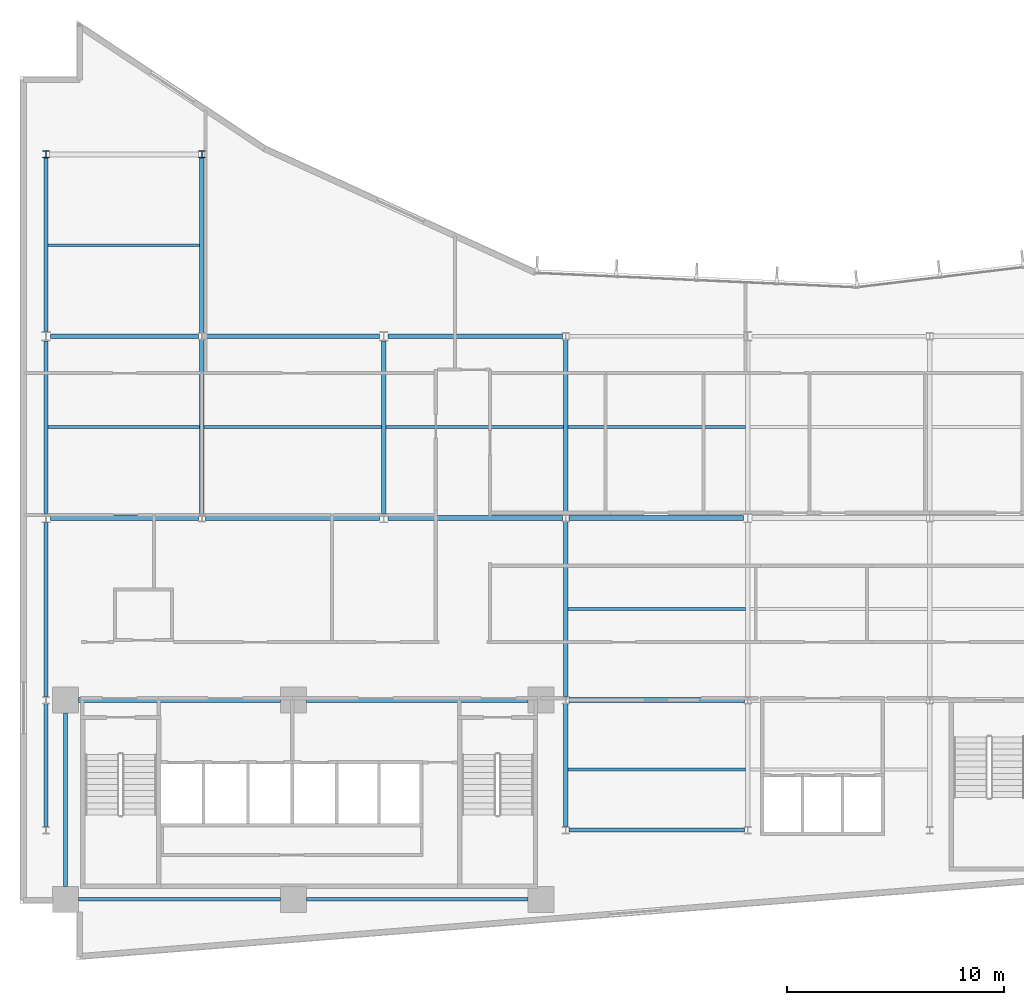
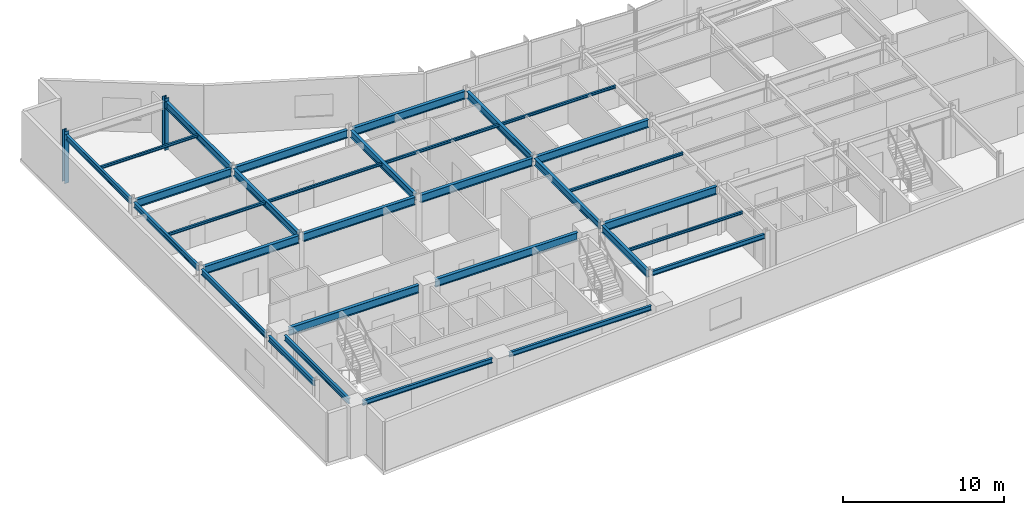
# One storey, part 3 of 17: 31 beams, 2 columns.
"""IFC4 building model written with IfcOpenShell, lengths in metres."""

import ifcopenshell
import ifcopenshell.guid

model = None  # the IFC model being written
_history = None  # IfcOwnerHistory: only IFC2X3 demands one
_inside = {}  # id of a spatial element -> (the spatial element, [elements in it])
_under = {}  # id of a project, library or spatial element -> (it, [spatial elements below it])
_declared = {}  # id of a project -> (the project, [libraries it declares])
_typed = {}  # id of a type object -> (the type object, [elements of that type])
_made_of = {}  # id of a material, layer set ... -> (it, [elements and type objects made of it])


def new_model(schema):
    """Start an empty IFC model of exactly this schema.

    Asked for "IFC4X3", IfcOpenShell would pick the latest addendum, in which some entities
    have other attributes; the version numbers below select the first issue.
    IFC2X3 requires an IfcOwnerHistory on every rooted entity: one is made here for all.
    """
    global model, _history
    if schema == "IFC4X3":
        model = ifcopenshell.file(schema_version=(4, 3, 0, 0))
    else:
        model = ifcopenshell.file(schema=schema)
    _inside.clear()
    _under.clear()
    _declared.clear()
    _typed.clear()
    _made_of.clear()
    _history = None
    if model.schema == "IFC2X3":
        org = make("IfcOrganization", Name="unknown")
        user = make(
            "IfcPersonAndOrganization",
            ThePerson=make("IfcPerson", FamilyName="unknown"),
            TheOrganization=org,
        )
        app = make(
            "IfcApplication",
            ApplicationDeveloper=org,
            Version="unknown",
            ApplicationFullName="unknown",
            ApplicationIdentifier="unknown",
        )
        _history = make(
            "IfcOwnerHistory",
            OwningUser=user,
            OwningApplication=app,
            ChangeAction="ADDED",
            CreationDate=0,
        )
    return model


def make(cls, **values):
    """One entity of the class cls with the attributes given. An attribute that is None is left unset."""
    return model.create_entity(
        cls, **{name: value for name, value in values.items() if value is not None}
    )


def rooted(cls, **values):
    """An entity with a GlobalId (a new one), such as an element, a storey or a relation."""
    return make(cls, GlobalId=ifcopenshell.guid.new(), OwnerHistory=_history, **values)


def si_unit(unit_type, name, prefix=None):
    """IfcSIUnit, for example si_unit("LENGTHUNIT", "METRE", prefix="MILLI")."""
    return make("IfcSIUnit", UnitType=unit_type, Prefix=prefix, Name=name)


def assignment(units):
    """IfcUnitAssignment: the units of a project."""
    return None if units is None else make("IfcUnitAssignment", Units=units)


def point(xyz):
    """IfcCartesianPoint."""
    return None if xyz is None else make("IfcCartesianPoint", Coordinates=xyz)


def direction(xyz):
    """IfcDirection."""
    return None if xyz is None else make("IfcDirection", DirectionRatios=xyz)


def frame(location, z_axis=None, x_axis=None):
    """IfcAxis2Placement3D, a coordinate frame: its origin and axes. An axis left out is left unset."""
    return make(
        "IfcAxis2Placement3D",
        Location=point(location),
        Axis=direction(z_axis),
        RefDirection=direction(x_axis),
    )


def frame_2d(location, x_axis=None):
    """IfcAxis2Placement2D, a coordinate frame in the plane: its origin and x axis."""
    return make(
        "IfcAxis2Placement2D", Location=point(location), RefDirection=direction(x_axis)
    )


def origin():
    """The frame at (0, 0, 0) with its axes left unset."""
    return frame((0.0, 0.0, 0.0))


def origin_2d():
    """The frame at (0, 0) in the plane with its x axis left unset."""
    return frame_2d((0.0, 0.0))


def place(relative_to, where):
    """IfcLocalPlacement: puts the frame where relative to a parent placement (None: the world)."""
    return make(
        "IfcLocalPlacement", PlacementRelTo=relative_to, RelativePlacement=where
    )


def context(
    kind, dimensions, precision=None, world=None, true_north=None, identifier=None
):
    """IfcGeometricRepresentationContext, for example the 3D "Model" context."""
    return make(
        "IfcGeometricRepresentationContext",
        ContextIdentifier=identifier,
        ContextType=kind,
        CoordinateSpaceDimension=dimensions,
        Precision=precision,
        WorldCoordinateSystem=world,
        TrueNorth=true_north,
    )


def subcontext(parent, identifier, kind, view, scale=None):
    """IfcGeometricRepresentationSubContext, for example "Body" below "Model"."""
    return make(
        "IfcGeometricRepresentationSubContext",
        ContextIdentifier=identifier,
        ContextType=kind,
        ParentContext=parent,
        TargetScale=scale,
        TargetView=view,
    )


def project(units=None, contexts=None):
    """IfcProject with its units and contexts."""
    return rooted(
        "IfcProject",
        Name="project",
        RepresentationContexts=contexts,
        UnitsInContext=assignment(units),
    )


def spatial(cls, under=None, at=None, **own):
    """A site, building, storey or space (cls), placed at a placement, below another one or the project."""
    s = rooted(cls, ObjectPlacement=at, **own)
    if under is not None:
        _under.setdefault(under.id(), (under, []))[1].append(s)
    return s


def profile(cls, at=None, kind="AREA", **sizes):
    """A parametric profile (cls). Its sizes go by their IFC names, for example OverallWidth=200.0."""
    return make(cls, ProfileType=kind, Position=at, **sizes)


def i_section(**sizes):
    """IfcIShapeProfileDef."""
    return profile("IfcIShapeProfileDef", **sizes)


def extrude(swept, where, along, depth):
    """IfcExtrudedAreaSolid: the profile swept, set in the frame where, extruded along a direction by depth."""
    return make(
        "IfcExtrudedAreaSolid",
        SweptArea=swept,
        Position=where,
        ExtrudedDirection=direction(along),
        Depth=depth,
    )


def shape(context_of_items, identifier, shape_type, items):
    """IfcShapeRepresentation: the items that make up one representation, for example the "Body"."""
    return make(
        "IfcShapeRepresentation",
        ContextOfItems=context_of_items,
        RepresentationIdentifier=identifier,
        RepresentationType=shape_type,
        Items=items,
    )


def material(Name=None, Category=None):
    """IfcMaterial."""
    return make("IfcMaterial", Name=Name, Category=Category)


def material_profile(
    of_material, cross_section, Name=None, Category=None, Priority=None
):
    """IfcMaterialProfile: a cross section and its material."""
    return make(
        "IfcMaterialProfile",
        Name=Name,
        Material=of_material,
        Profile=cross_section,
        Priority=Priority,
        Category=Category,
    )


def profile_set(profiles, Name=None, composite=None):
    """IfcMaterialProfileSet."""
    return make(
        "IfcMaterialProfileSet",
        Name=Name,
        MaterialProfiles=profiles,
        CompositeProfile=composite,
    )


def made_of(thing, what):
    """Note that an element or type object is made of a material, layer set ...; save() writes the relation."""
    if what is not None:
        _made_of.setdefault(what.id(), (what, []))[1].append(thing)
    return thing


def type_object(cls, material=None, **own):
    """A type object (cls), such as IfcWallType, which elements share."""
    return made_of(rooted(cls, **own), material)


def element(
    cls,
    number,
    at=None,
    inside=None,
    cuts=None,
    type_object=None,
    material=None,
    context=None,
    identifier="Body",
    shape_type=None,
    held_by="IfcProductDefinitionShape",
    body=None,
    shapes=None,
    **own,
):
    """One element of the class cls, such as IfcWall. Its Tag is "e" and its number.

    at: its placement. inside: the storey or other place that contains it. cuts: it is an
    opening in that element (IfcRelVoidsElement). A single representation is given by context,
    identifier, shape_type and body (its items); several are given by shapes. held_by: the class
    of the entity that holds the representations. save() writes the other relations.
    """
    e = rooted(cls, Tag="e%d" % number, ObjectPlacement=at, **own)
    if body is not None:
        shapes = [shape(context, identifier, shape_type, body)]
    if shapes is not None:
        e.Representation = make(held_by, Representations=shapes)
    if inside is not None:
        _inside.setdefault(inside.id(), (inside, []))[1].append(e)
    if cuts is not None:
        rooted(
            "IfcRelVoidsElement", RelatingBuildingElement=cuts, RelatedOpeningElement=e
        )
    if type_object is not None:
        _typed.setdefault(type_object.id(), (type_object, []))[1].append(e)
    return made_of(e, material)


def aggregate(whole, parts):
    """IfcRelAggregates: a whole, such as a stair, and the parts it consists of."""
    return rooted("IfcRelAggregates", RelatingObject=whole, RelatedObjects=parts)


def save(model, path):
    """Write the relations noted so far, then the file.

    IfcRelAggregates (storeys below a building ...), IfcRelContainedInSpatialStructure (elements
    in a storey), IfcRelDefinesByType, IfcRelAssociatesMaterial and IfcRelDeclares: one each for
    every whole, place, type object, material and project.
    """
    for whole, parts in _under.values():
        aggregate(whole, parts)
    for where, things in _inside.values():
        rooted(
            "IfcRelContainedInSpatialStructure",
            RelatedElements=things,
            RelatingStructure=where,
        )
    for kind, things in _typed.values():
        rooted("IfcRelDefinesByType", RelatedObjects=things, RelatingType=kind)
    for what, things in _made_of.values():
        rooted("IfcRelAssociatesMaterial", RelatedObjects=things, RelatingMaterial=what)
    for by, libraries in _declared.values():
        rooted("IfcRelDeclares", RelatingContext=by, RelatedDefinitions=libraries)
    model.write(path)


model = new_model("IFC4")

# Units and contexts
model_context = context("Model", 3, precision=1e-05, world=origin(), true_north=direction((0.0, 1.0)))
body_context = subcontext(model_context, "Body", "Model", "MODEL_VIEW")
ifc_project = project(units=[si_unit("LENGTHUNIT", "METRE"), si_unit("AREAUNIT", "SQUARE_METRE"), si_unit("VOLUMEUNIT", "CUBIC_METRE"), si_unit("PLANEANGLEUNIT", "RADIAN"), si_unit("MASSUNIT", "GRAM", prefix="KILO")], contexts=[model_context])

# Site, building, storey
site_placement = place(None, origin())
site = spatial("IfcSite", under=ifc_project, at=site_placement, CompositionType="ELEMENT")
building_placement = place(site_placement, origin())
building = spatial("IfcBuilding", under=site, at=building_placement, Name="Varnakote Quay Hospital", CompositionType="ELEMENT")
storey_placement = place(building_placement, frame((0.0, 0.0, 134.949951171875)))
storey = spatial("IfcBuildingStorey", under=building, at=storey_placement, Name="L33", CompositionType="ELEMENT", Elevation=134.949951171875)

# Columns
ifc_material_1 = material(Name="Structural steel AS/NZS 3679.1 Grade 350 L0 (fy 340 MPa)", Category="steel")
ifc_material_profile_1 = material_profile(ifc_material_1, i_section(OverallWidth=0.30908203125, OverallDepth=0.321044921875, WebThickness=0.013916015625, FlangeThickness=0.021728515625, FilletRadius=0.0166015625, at=origin_2d()), Name="310UC137")
ifc_profile_set_1 = profile_set([ifc_material_profile_1], Name="Structural steel AS/NZS 3679.1 Grade 350 L0 (fy 340 MPa)")
column_type = type_object("IfcColumnType", Name="COL-STL-310UC137", PredefinedType="COLUMN", material=ifc_profile_set_1)
for number, where, z_axis, x_axis, name in (
    (1, (1.199951171875, 37.199951171875, 0.0), (0.0, 0.0, 1.0), (1.0, 0.0, 0.0), "L33 Structural Column C-1-37"),
    (2, (8.39990234375, 37.199951171875, 0.0), (0.0, 0.0, 1.0), (1.0, 0.0, 0.0), "L33 Structural Column C-8-37"),
):
    element("IfcColumn", number, at=place(storey_placement, frame(where, z_axis=z_axis, x_axis=x_axis)), inside=storey, type_object=column_type, Name=name, PredefinedType="COLUMN", context=body_context, shape_type="SweptSolid", body=[
        extrude(i_section(OverallWidth=0.30908203125, OverallDepth=0.321044921875, WebThickness=0.013916015625, FlangeThickness=0.021728515625, FilletRadius=0.0166015625, at=origin_2d()), origin(), (0.0, 0.0, 1.0), 3.949951171875),
    ])

# Beams
ifc_material_2 = material(Name="Structural steel AS/NZS 3679.1 Grade 350 L0 (fy 340 MPa)", Category="steel")
ifc_material_profile_2 = material_profile(ifc_material_2, i_section(OverallWidth=0.208984375, OverallDepth=0.532958984375, WebThickness=0.01025390625, FlangeThickness=0.015625, FilletRadius=0.013916015625, at=origin_2d()), Name="530UB92.4")
ifc_profile_set_2 = profile_set([ifc_material_profile_2], Name="Structural steel AS/NZS 3679.1 Grade 350 L0 (fy 340 MPa)")
beam_type_1 = type_object("IfcBeamType", Name="BM-STL-530UB92-4", PredefinedType="BEAM", material=ifc_profile_set_2)
beam_1_placement = place(storey_placement, frame((8.39990234375, 20.560546875, 3.443603515625), z_axis=(0.0, 1.0, 0.0), x_axis=(-1.0, 0.0, 0.0)))
element("IfcBeam", 3, at=beam_1_placement, inside=storey, type_object=beam_type_1, Name="L33 Primary Tie Beam", PredefinedType="BEAM", context=body_context, shape_type="SweptSolid", body=[
    extrude(i_section(OverallWidth=0.208984375, OverallDepth=0.532958984375, WebThickness=0.01025390625, FlangeThickness=0.015625, FilletRadius=0.013916015625, at=origin_2d()), origin(), (0.0, 0.0, 1.0), 8.078857421875),
])
beam_2_placement = place(storey_placement, frame((8.39990234375, 28.96044921875, 3.443603515625), z_axis=(0.0, 1.0, 0.0), x_axis=(-1.0, 0.0, 0.0)))
element("IfcBeam", 4, at=beam_2_placement, inside=storey, type_object=beam_type_1, Name="L33 Primary Tie Beam", PredefinedType="BEAM", context=body_context, shape_type="SweptSolid", body=[
    extrude(i_section(OverallWidth=0.208984375, OverallDepth=0.532958984375, WebThickness=0.01025390625, FlangeThickness=0.015625, FilletRadius=0.013916015625, at=origin_2d()), origin(), (0.0, 0.0, 1.0), 8.0791015625),
])
beam_3_placement = place(storey_placement, frame((16.800048828125, 20.610107421875, 3.443603515625), z_axis=(0.0, 1.0, 0.0), x_axis=(-1.0, 0.0, 0.0)))
element("IfcBeam", 5, at=beam_3_placement, inside=storey, type_object=beam_type_1, Name="L33 Primary Tie Beam", PredefinedType="BEAM", context=body_context, shape_type="SweptSolid", body=[
    extrude(i_section(OverallWidth=0.208984375, OverallDepth=0.532958984375, WebThickness=0.01025390625, FlangeThickness=0.015625, FilletRadius=0.013916015625, at=origin_2d()), origin(), (0.0, 0.0, 1.0), 7.97998046875),
])
beam_4_placement = place(storey_placement, frame((25.199951171875, 6.160400390625, 3.443603515625), z_axis=(0.0, 1.0, 0.0), x_axis=(-1.0, 0.0, 0.0)))
element("IfcBeam", 6, at=beam_4_placement, inside=storey, type_object=beam_type_1, Name="L33 Primary Tie Beam", PredefinedType="BEAM", context=body_context, shape_type="SweptSolid", body=[
    extrude(i_section(OverallWidth=0.208984375, OverallDepth=0.532958984375, WebThickness=0.01025390625, FlangeThickness=0.015625, FilletRadius=0.013916015625, at=origin_2d()), origin(), (0.0, 0.0, 1.0), 5.67919921875),
])
beam_5_placement = place(storey_placement, frame((25.199951171875, 12.160400390625, 3.443603515625), z_axis=(0.0, 1.0, 0.0), x_axis=(-1.0, 0.0, 0.0)))
element("IfcBeam", 7, at=beam_5_placement, inside=storey, type_object=beam_type_1, Name="L33 Primary Tie Beam", PredefinedType="BEAM", context=body_context, shape_type="SweptSolid", body=[
    extrude(i_section(OverallWidth=0.208984375, OverallDepth=0.532958984375, WebThickness=0.01025390625, FlangeThickness=0.015625, FilletRadius=0.013916015625, at=origin_2d()), origin(), (0.0, 0.0, 1.0), 8.0791015625),
])
beam_6_placement = place(storey_placement, frame((25.199951171875, 20.560546875, 3.443603515625), z_axis=(0.0, 1.0, 0.0), x_axis=(-1.0, 0.0, 0.0)))
element("IfcBeam", 8, at=beam_6_placement, inside=storey, type_object=beam_type_1, Name="L33 Primary Tie Beam", PredefinedType="BEAM", context=body_context, shape_type="SweptSolid", body=[
    extrude(i_section(OverallWidth=0.208984375, OverallDepth=0.532958984375, WebThickness=0.01025390625, FlangeThickness=0.015625, FilletRadius=0.013916015625, at=origin_2d()), origin(), (0.0, 0.0, 1.0), 8.078857421875),
])
ifc_material_3 = material(Name="Structural steel AS/NZS 3679.1 Grade 350 L0 (fy 340 MPa)", Category="steel")
ifc_material_profile_3 = material_profile(ifc_material_3, i_section(OverallWidth=0.22802734375, OverallDepth=0.60205078125, WebThickness=0.010498046875, FlangeThickness=0.014892578125, FilletRadius=0.013916015625, at=origin_2d()), Name="610UB101")
ifc_profile_set_3 = profile_set([ifc_material_profile_3], Name="Structural steel AS/NZS 3679.1 Grade 350 L0 (fy 340 MPa)")
beam_type_2 = type_object("IfcBeamType", Name="BM-STL-610UB101", PredefinedType="BEAM", material=ifc_profile_set_3)
beam_7_placement = place(storey_placement, frame((2.699951171875, 12.0, 3.408935546875), z_axis=(1.0, 0.0, 0.0), x_axis=(0.0, 1.0, 0.0)))
element("IfcBeam", 9, at=beam_7_placement, inside=storey, type_object=beam_type_2, Name="L33 Primary Floor Beam", PredefinedType="BEAM", context=body_context, shape_type="SweptSolid", body=[
    extrude(i_section(OverallWidth=0.22802734375, OverallDepth=0.60205078125, WebThickness=0.010498046875, FlangeThickness=0.014892578125, FilletRadius=0.013916015625, at=origin_2d()), origin(), (0.0, 0.0, 1.0), 9.320068359375),
])
beam_8_placement = place(storey_placement, frame((13.219970703125, 12.0, 3.408935546875), z_axis=(1.0, 0.0, 0.0), x_axis=(0.0, 1.0, 0.0)))
element("IfcBeam", 10, at=beam_8_placement, inside=storey, type_object=beam_type_2, Name="L33 Primary Floor Beam", PredefinedType="BEAM", context=body_context, shape_type="SweptSolid", body=[
    extrude(i_section(OverallWidth=0.22802734375, OverallDepth=0.60205078125, WebThickness=0.010498046875, FlangeThickness=0.014892578125, FilletRadius=0.013916015625, at=origin_2d()), origin(), (0.0, 0.0, 1.0), 10.22998046875),
])
beam_9_placement = place(storey_placement, frame((25.3544921875, 12.0, 3.408935546875), z_axis=(1.0, 0.0, 0.0), x_axis=(0.0, 1.0, 0.0)))
element("IfcBeam", 11, at=beam_9_placement, inside=storey, type_object=beam_type_2, Name="L33 Primary Floor Beam", PredefinedType="BEAM", context=body_context, shape_type="SweptSolid", body=[
    extrude(i_section(OverallWidth=0.22802734375, OverallDepth=0.60205078125, WebThickness=0.010498046875, FlangeThickness=0.014892578125, FilletRadius=0.013916015625, at=origin_2d()), origin(), (0.0, 0.0, 1.0), 8.091064453125),
])
beam_10_placement = place(storey_placement, frame((1.39990234375, 20.39990234375, 3.408935546875), z_axis=(1.0, 0.0, 0.0), x_axis=(0.0, 1.0, 0.0)))
element("IfcBeam", 12, at=beam_10_placement, inside=storey, type_object=beam_type_2, Name="L33 Primary Floor Beam", PredefinedType="BEAM", context=body_context, shape_type="SweptSolid", body=[
    extrude(i_section(OverallWidth=0.22802734375, OverallDepth=0.60205078125, WebThickness=0.010498046875, FlangeThickness=0.014892578125, FilletRadius=0.013916015625, at=origin_2d()), origin(), (0.0, 0.0, 1.0), 6.845703125),
])
beam_11_placement = place(storey_placement, frame((8.554443359375, 20.39990234375, 3.408935546875), z_axis=(1.0, 0.0, 0.0), x_axis=(0.0, 1.0, 0.0)))
element("IfcBeam", 13, at=beam_11_placement, inside=storey, type_object=beam_type_2, Name="L33 Primary Floor Beam", PredefinedType="BEAM", context=body_context, shape_type="SweptSolid", body=[
    extrude(i_section(OverallWidth=0.22802734375, OverallDepth=0.60205078125, WebThickness=0.010498046875, FlangeThickness=0.014892578125, FilletRadius=0.013916015625, at=origin_2d()), origin(), (0.0, 0.0, 1.0), 8.045654296875),
])
for number, where, z_axis, x_axis, name in (
    (14, (17.0, 20.39990234375, 3.408935546875), (1.0, 0.0, 0.0), (0.0, 1.0, 0.0), "L33 Primary Floor Beam"),
    (15, (25.3544921875, 20.39990234375, 3.408935546875), (1.0, 0.0, 0.0), (0.0, 1.0, 0.0), "L33 Primary Floor Beam"),
):
    element("IfcBeam", number, at=place(storey_placement, frame(where, z_axis=z_axis, x_axis=x_axis)), inside=storey, type_object=beam_type_2, Name=name, PredefinedType="BEAM", context=body_context, shape_type="SweptSolid", body=[
        extrude(i_section(OverallWidth=0.22802734375, OverallDepth=0.60205078125, WebThickness=0.010498046875, FlangeThickness=0.014892578125, FilletRadius=0.013916015625, at=origin_2d()), origin(), (0.0, 0.0, 1.0), 8.04541015625),
    ])
beam_12_placement = place(storey_placement, frame((1.39990234375, 28.800048828125, 3.408935546875), z_axis=(1.0, 0.0, 0.0), x_axis=(0.0, 1.0, 0.0)))
element("IfcBeam", 16, at=beam_12_placement, inside=storey, type_object=beam_type_2, Name="L33 Primary Floor Beam", PredefinedType="BEAM", context=body_context, shape_type="SweptSolid", body=[
    extrude(i_section(OverallWidth=0.22802734375, OverallDepth=0.60205078125, WebThickness=0.010498046875, FlangeThickness=0.014892578125, FilletRadius=0.013916015625, at=origin_2d()), origin(), (0.0, 0.0, 1.0), 6.845703125),
])
beam_13_placement = place(storey_placement, frame((8.554443359375, 28.800048828125, 3.408935546875), z_axis=(1.0, 0.0, 0.0), x_axis=(0.0, 1.0, 0.0)))
element("IfcBeam", 17, at=beam_13_placement, inside=storey, type_object=beam_type_2, Name="L33 Primary Floor Beam", PredefinedType="BEAM", context=body_context, shape_type="SweptSolid", body=[
    extrude(i_section(OverallWidth=0.22802734375, OverallDepth=0.60205078125, WebThickness=0.010498046875, FlangeThickness=0.014892578125, FilletRadius=0.013916015625, at=origin_2d()), origin(), (0.0, 0.0, 1.0), 8.045654296875),
])
beam_14_placement = place(storey_placement, frame((17.0, 28.800048828125, 3.408935546875), z_axis=(1.0, 0.0, 0.0), x_axis=(0.0, 1.0, 0.0)))
element("IfcBeam", 18, at=beam_14_placement, inside=storey, type_object=beam_type_2, Name="L33 Primary Floor Beam", PredefinedType="BEAM", context=body_context, shape_type="SweptSolid", body=[
    extrude(i_section(OverallWidth=0.22802734375, OverallDepth=0.60205078125, WebThickness=0.010498046875, FlangeThickness=0.014892578125, FilletRadius=0.013916015625, at=origin_2d()), origin(), (0.0, 0.0, 1.0), 8.04541015625),
])
ifc_material_4 = material(Name="Structural steel AS/NZS 3679.1 Grade 350 L0 (fy 340 MPa)", Category="steel")
ifc_material_profile_4 = material_profile(ifc_material_4, i_section(OverallWidth=0.134033203125, OverallDepth=0.20703125, WebThickness=0.00634765625, FlangeThickness=0.009521484375, FilletRadius=0.0087890625, at=origin_2d()), Name="200UB29.8")
ifc_profile_set_4 = profile_set([ifc_material_profile_4], Name="Structural steel AS/NZS 3679.1 Grade 350 L0 (fy 340 MPa)")
beam_type_3 = type_object("IfcBeamType", Name="JST-STL-200UB29-8", PredefinedType="JOIST", material=ifc_profile_set_4)
for number, where, z_axis, x_axis, name in (
    (19, (25.304443359375, 8.800048828125, 3.6064453125), (1.0, 0.0, 0.0), (0.0, 1.0, 0.0), "L33 Composite Floor Joist"),
    (20, (25.304443359375, 16.199951171875, 3.6064453125), (1.0, 0.0, 0.0), (0.0, 1.0, 0.0), "L33 Composite Floor Joist"),
):
    element("IfcBeam", number, at=place(storey_placement, frame(where, z_axis=z_axis, x_axis=x_axis)), inside=storey, type_object=beam_type_3, Name=name, PredefinedType="JOIST", context=body_context, shape_type="SweptSolid", body=[
        extrude(i_section(OverallWidth=0.134033203125, OverallDepth=0.20703125, WebThickness=0.00634765625, FlangeThickness=0.009521484375, FilletRadius=0.0087890625, at=origin_2d()), origin(), (0.0, 0.0, 1.0), 8.191162109375),
    ])
beam_15_placement = place(storey_placement, frame((1.2890625, 24.60009765625, 3.6064453125), z_axis=(1.0, 0.0, 0.0), x_axis=(0.0, 1.0, 0.0)))
element("IfcBeam", 21, at=beam_15_placement, inside=storey, type_object=beam_type_3, Name="L33 Composite Floor Joist", PredefinedType="JOIST", context=body_context, shape_type="SweptSolid", body=[
    extrude(i_section(OverallWidth=0.134033203125, OverallDepth=0.20703125, WebThickness=0.00634765625, FlangeThickness=0.009521484375, FilletRadius=0.0087890625, at=origin_2d()), origin(), (0.0, 0.0, 1.0), 7.00634765625),
])
beam_16_placement = place(storey_placement, frame((8.50439453125, 24.60009765625, 3.6064453125), z_axis=(1.0, 0.0, 0.0), x_axis=(0.0, 1.0, 0.0)))
element("IfcBeam", 22, at=beam_16_placement, inside=storey, type_object=beam_type_3, Name="L33 Composite Floor Joist", PredefinedType="JOIST", context=body_context, shape_type="SweptSolid", body=[
    extrude(i_section(OverallWidth=0.134033203125, OverallDepth=0.20703125, WebThickness=0.00634765625, FlangeThickness=0.009521484375, FilletRadius=0.0087890625, at=origin_2d()), origin(), (0.0, 0.0, 1.0), 8.191162109375),
])
beam_17_placement = place(storey_placement, frame((16.904541015625, 24.60009765625, 3.6064453125), z_axis=(1.0, 0.0, 0.0), x_axis=(0.0, 1.0, 0.0)))
element("IfcBeam", 23, at=beam_17_placement, inside=storey, type_object=beam_type_3, Name="L33 Composite Floor Joist", PredefinedType="JOIST", context=body_context, shape_type="SweptSolid", body=[
    extrude(i_section(OverallWidth=0.134033203125, OverallDepth=0.20703125, WebThickness=0.00634765625, FlangeThickness=0.009521484375, FilletRadius=0.0087890625, at=origin_2d()), origin(), (0.0, 0.0, 1.0), 8.19091796875),
])
beam_18_placement = place(storey_placement, frame((25.304443359375, 24.60009765625, 3.6064453125), z_axis=(1.0, 0.0, 0.0), x_axis=(0.0, 1.0, 0.0)))
element("IfcBeam", 24, at=beam_18_placement, inside=storey, type_object=beam_type_3, Name="L33 Composite Floor Joist", PredefinedType="JOIST", context=body_context, shape_type="SweptSolid", body=[
    extrude(i_section(OverallWidth=0.134033203125, OverallDepth=0.20703125, WebThickness=0.00634765625, FlangeThickness=0.009521484375, FilletRadius=0.0087890625, at=origin_2d()), origin(), (0.0, 0.0, 1.0), 8.191162109375),
])
beam_19_placement = place(storey_placement, frame((1.2890625, 33.0, 3.6064453125), z_axis=(1.0, 0.0, 0.0), x_axis=(0.0, 1.0, 0.0)))
element("IfcBeam", 25, at=beam_19_placement, inside=storey, type_object=beam_type_3, Name="L33 Composite Floor Joist", PredefinedType="JOIST", context=body_context, shape_type="SweptSolid", body=[
    extrude(i_section(OverallWidth=0.134033203125, OverallDepth=0.20703125, WebThickness=0.00634765625, FlangeThickness=0.009521484375, FilletRadius=0.0087890625, at=origin_2d()), origin(), (0.0, 0.0, 1.0), 7.00634765625),
])
ifc_material_5 = material(Name="Structural steel AS/NZS 3679.1 Grade 350 L0 (fy 340 MPa)", Category="steel")
ifc_material_profile_5 = material_profile(ifc_material_5, i_section(OverallWidth=0.172119140625, OverallDepth=0.35888671875, WebThickness=0.008056640625, FlangeThickness=0.012939453125, FilletRadius=0.011474609375, at=origin_2d()), Name="360UB56.7")
ifc_profile_set_5 = profile_set([ifc_material_profile_5], Name="Structural steel AS/NZS 3679.1 Grade 350 L0 (fy 340 MPa)")
beam_type_4 = type_object("IfcBeamType", Name="SPN-STL-360UB56-7", PredefinedType="SPANDREL", material=ifc_profile_set_5)
beam_20_placement = place(storey_placement, frame((2.699951171875, 2.800048828125, 3.530517578125), z_axis=(1.0, 0.0, 0.0), x_axis=(0.0, 1.0, 0.0)))
element("IfcBeam", 26, at=beam_20_placement, inside=storey, type_object=beam_type_4, Name="L33 Perimeter Spandrel Beam", PredefinedType="SPANDREL", context=body_context, shape_type="SweptSolid", body=[
    extrude(i_section(OverallWidth=0.172119140625, OverallDepth=0.35888671875, WebThickness=0.008056640625, FlangeThickness=0.012939453125, FilletRadius=0.011474609375, at=origin_2d()), origin(), (0.0, 0.0, 1.0), 9.320068359375),
])
beam_21_placement = place(storey_placement, frame((13.219970703125, 2.800048828125, 3.530517578125), z_axis=(1.0, 0.0, 0.0), x_axis=(0.0, 1.0, 0.0)))
element("IfcBeam", 27, at=beam_21_placement, inside=storey, type_object=beam_type_4, Name="L33 Perimeter Spandrel Beam", PredefinedType="SPANDREL", context=body_context, shape_type="SweptSolid", body=[
    extrude(i_section(OverallWidth=0.172119140625, OverallDepth=0.35888671875, WebThickness=0.008056640625, FlangeThickness=0.012939453125, FilletRadius=0.011474609375, at=origin_2d()), origin(), (0.0, 0.0, 1.0), 10.22998046875),
])
beam_22_placement = place(storey_placement, frame((25.3544921875, 6.0, 3.530517578125), z_axis=(1.0, 0.0, 0.0), x_axis=(0.0, 1.0, 0.0)))
element("IfcBeam", 28, at=beam_22_placement, inside=storey, type_object=beam_type_4, Name="L33 Perimeter Spandrel Beam", PredefinedType="SPANDREL", context=body_context, shape_type="SweptSolid", body=[
    extrude(i_section(OverallWidth=0.172119140625, OverallDepth=0.35888671875, WebThickness=0.008056640625, FlangeThickness=0.012939453125, FilletRadius=0.011474609375, at=origin_2d()), origin(), (0.0, 0.0, 1.0), 8.091064453125),
])
ifc_material_6 = material(Name="Structural steel AS/NZS 3679.1 Grade 350 L0 (fy 340 MPa)", Category="steel")
ifc_material_profile_6 = material_profile(ifc_material_6, i_section(OverallWidth=0.177978515625, OverallDepth=0.403076171875, WebThickness=0.007568359375, FlangeThickness=0.010986328125, FilletRadius=0.011474609375, at=origin_2d()), Name="410UB53.7")
ifc_profile_set_6 = profile_set([ifc_material_profile_6], Name="Structural steel AS/NZS 3679.1 Grade 350 L0 (fy 340 MPa)")
beam_type_5 = type_object("IfcBeamType", Name="SPN-STL-410UB53-7", PredefinedType="SPANDREL", material=ifc_profile_set_6)
beam_23_placement = place(storey_placement, frame((1.199951171875, 6.160400390625, 3.508544921875), z_axis=(0.0, 1.0, 0.0), x_axis=(-1.0, 0.0, 0.0)))
element("IfcBeam", 29, at=beam_23_placement, inside=storey, type_object=beam_type_5, Name="L33 Perimeter Spandrel Beam", PredefinedType="SPANDREL", context=body_context, shape_type="SweptSolid", body=[
    extrude(i_section(OverallWidth=0.177978515625, OverallDepth=0.403076171875, WebThickness=0.007568359375, FlangeThickness=0.010986328125, FilletRadius=0.011474609375, at=origin_2d()), origin(), (0.0, 0.0, 1.0), 5.67919921875),
])
beam_24_placement = place(storey_placement, frame((1.199951171875, 12.160400390625, 3.508544921875), z_axis=(0.0, 1.0, 0.0), x_axis=(-1.0, 0.0, 0.0)))
element("IfcBeam", 30, at=beam_24_placement, inside=storey, type_object=beam_type_5, Name="L33 Perimeter Spandrel Beam", PredefinedType="SPANDREL", context=body_context, shape_type="SweptSolid", body=[
    extrude(i_section(OverallWidth=0.177978515625, OverallDepth=0.403076171875, WebThickness=0.007568359375, FlangeThickness=0.010986328125, FilletRadius=0.011474609375, at=origin_2d()), origin(), (0.0, 0.0, 1.0), 8.029541015625),
])
beam_25_placement = place(storey_placement, frame((1.199951171875, 20.610107421875, 3.508544921875), z_axis=(0.0, 1.0, 0.0), x_axis=(-1.0, 0.0, 0.0)))
element("IfcBeam", 31, at=beam_25_placement, inside=storey, type_object=beam_type_5, Name="L33 Perimeter Spandrel Beam", PredefinedType="SPANDREL", context=body_context, shape_type="SweptSolid", body=[
    extrude(i_section(OverallWidth=0.177978515625, OverallDepth=0.403076171875, WebThickness=0.007568359375, FlangeThickness=0.010986328125, FilletRadius=0.011474609375, at=origin_2d()), origin(), (0.0, 0.0, 1.0), 7.97998046875),
])
beam_26_placement = place(storey_placement, frame((1.199951171875, 29.010009765625, 3.508544921875), z_axis=(0.0, 1.0, 0.0), x_axis=(-1.0, 0.0, 0.0)))
element("IfcBeam", 32, at=beam_26_placement, inside=storey, type_object=beam_type_5, Name="L33 Perimeter Spandrel Beam", PredefinedType="SPANDREL", context=body_context, shape_type="SweptSolid", body=[
    extrude(i_section(OverallWidth=0.177978515625, OverallDepth=0.403076171875, WebThickness=0.007568359375, FlangeThickness=0.010986328125, FilletRadius=0.011474609375, at=origin_2d()), origin(), (0.0, 0.0, 1.0), 8.029541015625),
])
beam_27_placement = place(storey_placement, frame((2.10009765625, 3.39990234375, 3.508544921875), z_axis=(0.0, 1.0, 0.0), x_axis=(-1.0, 0.0, 0.0)))
element("IfcBeam", 33, at=beam_27_placement, inside=storey, type_object=beam_type_5, Name="L33 Perimeter Spandrel Beam", PredefinedType="SPANDREL", context=body_context, shape_type="SweptSolid", body=[
    extrude(i_section(OverallWidth=0.177978515625, OverallDepth=0.403076171875, WebThickness=0.007568359375, FlangeThickness=0.010986328125, FilletRadius=0.011474609375, at=origin_2d()), origin(), (0.0, 0.0, 1.0), 8.0),
])

save(model, "model.ifc")
